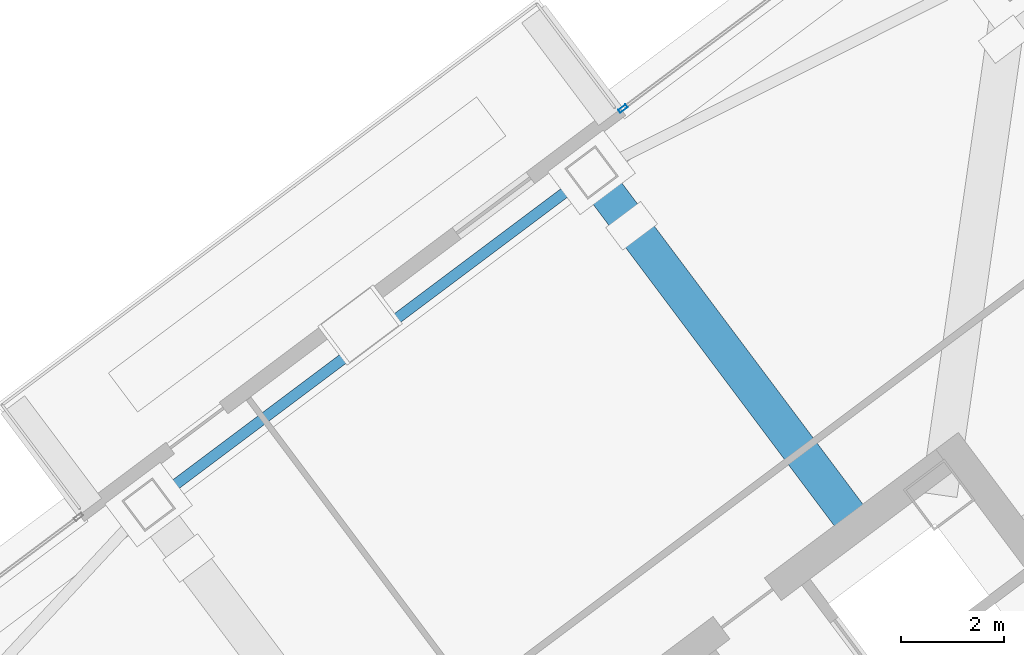
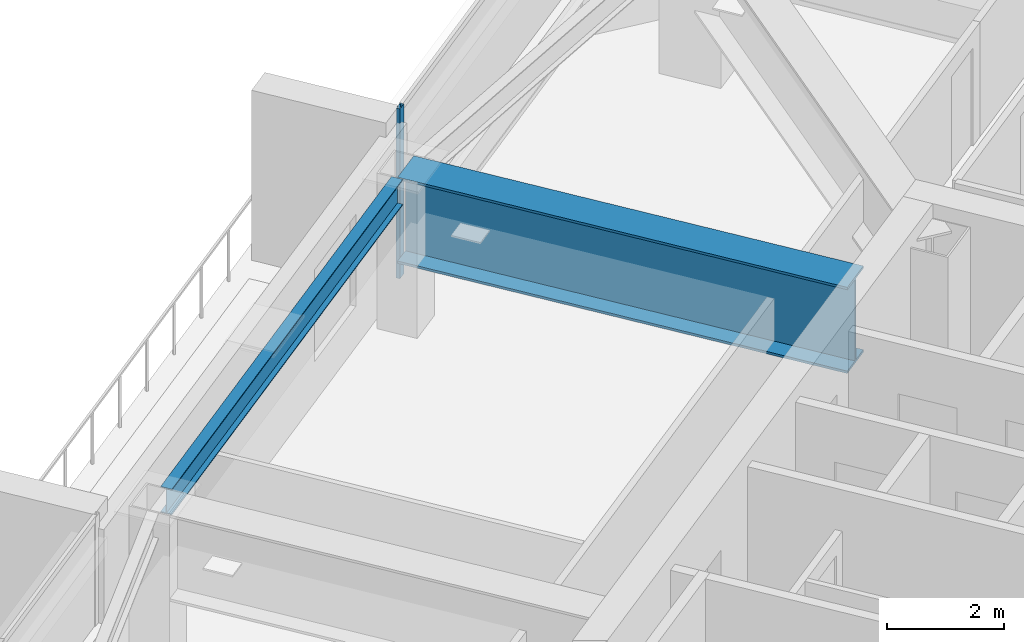
# One storey, part 27 of 42: 2 beams, 1 member, 1 element without a shape of its own.
"""IFC4 building model written with IfcOpenShell, lengths in metres."""

from ifc_helpers import new_model, si_unit, direction, frame, origin, origin_2d, place, context, subcontext, project, spatial, hollow_rectangle, i_section, extrude, material, material_profile, profile_set, type_object, element, aggregate, save


model = new_model("IFC4")

# Units and contexts
model_context = context("Model", 3, precision=1e-05, world=origin(), true_north=direction((0.0, 1.0)))
body_context = subcontext(model_context, "Body", "Model", "MODEL_VIEW")
ifc_project = project(units=[si_unit("LENGTHUNIT", "METRE"), si_unit("AREAUNIT", "SQUARE_METRE"), si_unit("VOLUMEUNIT", "CUBIC_METRE"), si_unit("PLANEANGLEUNIT", "RADIAN"), si_unit("MASSUNIT", "GRAM", prefix="KILO")], contexts=[model_context])

# Site, building, storey
site_placement = place(None, origin())
site = spatial("IfcSite", under=ifc_project, at=site_placement, CompositionType="ELEMENT")
building_placement = place(site_placement, origin())
building = spatial("IfcBuilding", under=site, at=building_placement, Name="Tashvorn Skyway Center", CompositionType="ELEMENT")
storey_placement = place(building_placement, frame((0.0, 0.0, 196.050048828125)))
storey = spatial("IfcBuildingStorey", under=building, at=storey_placement, Name="L53", CompositionType="ELEMENT", Elevation=196.050048828125)

# Beams
ifc_material_1 = material(Name="Steel ASTM A572 Grade 50", Category="steel")
ifc_material_profile_1 = material_profile(ifc_material_1, i_section(OverallWidth=0.699951171875, OverallDepth=1.800048828125, WebThickness=0.031982421875, FlangeThickness=0.050048828125, at=origin_2d()), Name="PG1800x700")
ifc_profile_set_1 = profile_set([ifc_material_profile_1], Name="Steel ASTM A572 Grade 50")
beam_type_1 = type_object("IfcBeamType", Name="BM-BEAM-PG1800x700", PredefinedType="BEAM", material=ifc_profile_set_1)
beam_1_placement = place(storey_placement, frame((108.6298828125, 48.159912109375, 2.349853515625), z_axis=(0.600028001523, -0.799978998092, 0.0), x_axis=(0.799978998092, 0.600028001523, 0.0)))
element("IfcBeam", 1, at=beam_1_placement, inside=storey, type_object=beam_type_1, Name="Tower 2 L53 Setback Transfer Girder FC-N1", PredefinedType="BEAM", context=body_context, shape_type="SweptSolid", body=[
    extrude(i_section(OverallWidth=0.699951171875, OverallDepth=1.800048828125, WebThickness=0.031982421875, FlangeThickness=0.050048828125, at=origin_2d()), origin(), (0.0, 0.0, 1.0), 8.369873046875),
])
ifc_material_2 = material(Name="Steel ASTM A992 Grade 50", Category="steel")
ifc_material_profile_2 = material_profile(ifc_material_2, i_section(OverallWidth=0.2109375, OverallDepth=0.5390625, WebThickness=0.01171875, FlangeThickness=0.018798828125, at=origin_2d()), Name="W21X73")
ifc_profile_set_2 = profile_set([ifc_material_profile_2], Name="Steel ASTM A992 Grade 50")
beam_type_2 = type_object("IfcBeamType", Name="BM-SPANDREL-W21X73", PredefinedType="SPANDREL", material=ifc_profile_set_2)
beam_2_placement = place(storey_placement, frame((108.333984375, 47.93798828125, 2.98046875), z_axis=(-0.800008736549, -0.599988351091, 0.0), x_axis=(0.599988351091, -0.800008736549, 0.0)))
element("IfcBeam", 2, at=beam_2_placement, inside=storey, type_object=beam_type_2, Name="Tower 2 L53 Spandrel Beam 08", PredefinedType="SPANDREL", context=body_context, shape_type="SweptSolid", body=[
    extrude(i_section(OverallWidth=0.2109375, OverallDepth=0.5390625, WebThickness=0.01171875, FlangeThickness=0.018798828125, at=origin_2d()), origin(), (0.0, 0.0, 1.0), 10.06005859375),
])

# Curtain wall, member
ifc_material_3 = material(Name="Thermally broken bronze-anodized aluminium 6063-T6", Category="aluminium")
curtain_wall_type = type_object("IfcCurtainWallType", Name="CW-CW-Z4", PredefinedType="NOTDEFINED", material=ifc_material_3)
curtain_wall_placement = place(storey_placement, origin())
curtain_wall = element("IfcCurtainWall", 3, at=curtain_wall_placement, inside=storey, type_object=curtain_wall_type, Name="Tower 2 L53 North Curtain Wall R", PredefinedType="NOTDEFINED")
ifc_material_profile_3 = material_profile(ifc_material_3, hollow_rectangle(XDim=0.070068359375, YDim=0.179931640625, WallThickness=0.00390625, at=origin_2d()), Name="ALU-MULL-70x180")
ifc_profile_set_3 = profile_set([ifc_material_profile_3], Name="Thermally broken bronze-anodized aluminium 6063-T6")
member_type = type_object("IfcMemberType", Name="CWM-CW-Z4", PredefinedType="MULLION", material=ifc_profile_set_3)
member_placement = place(storey_placement, frame((109.239990234375, 49.405029296875, 0.0), z_axis=(0.0, 0.0, 1.0), x_axis=(-0.600000000002, 0.799999999998, 0.0)))
member = element("IfcMember", 4, at=member_placement, type_object=member_type, Name="CW-Z4 mullion 1", PredefinedType="MULLION", context=body_context, shape_type="SweptSolid", body=[
    extrude(hollow_rectangle(XDim=0.070068359375, YDim=0.179931640625, WallThickness=0.00390625, at=origin_2d()), origin(), (0.0, 0.0, 1.0), 3.550048828125),
])
aggregate(curtain_wall, [member])

save(model, "model.ifc")
